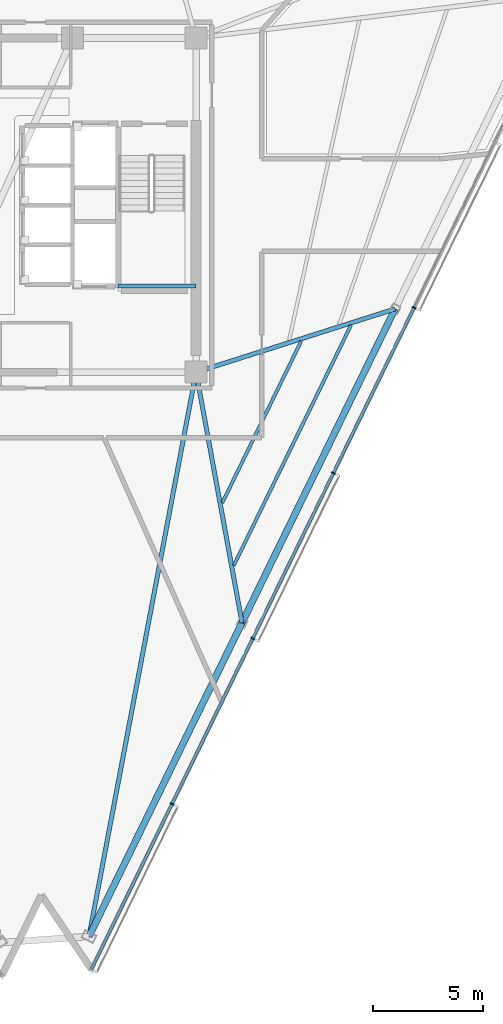
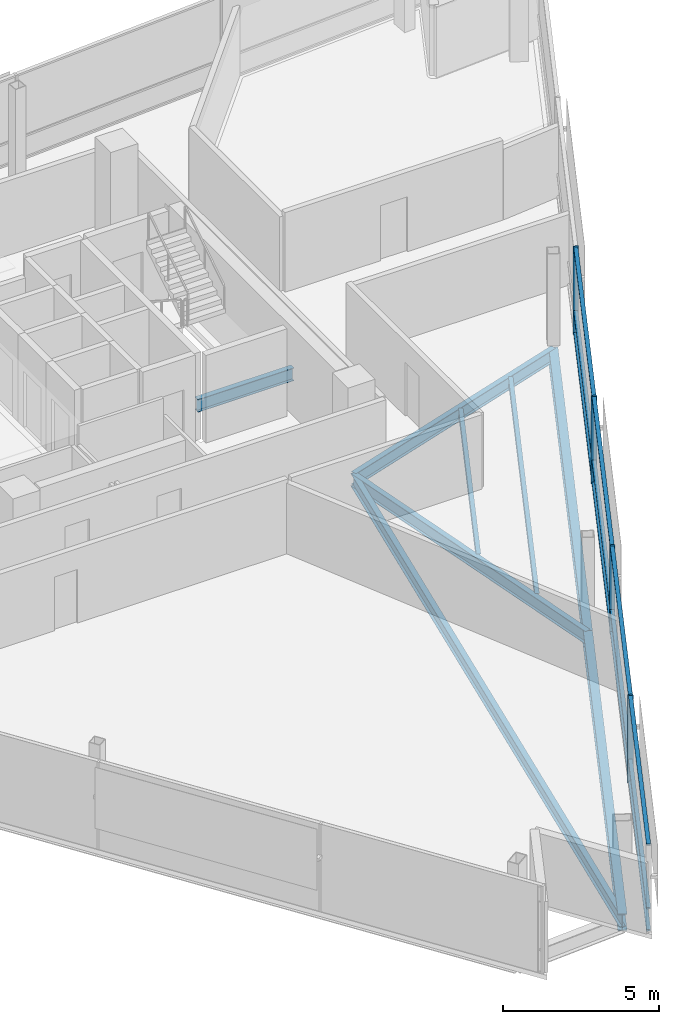
# One storey, part 4 of 16: 16 members, 8 beams, 1 element without a shape of its own.
"""IFC4 building model written with IfcOpenShell, lengths in metres."""

from ifc_helpers import new_model, si_unit, direction, frame, origin, origin_2d, place, context, subcontext, project, spatial, rectangle, i_section, extrude, material, layer, layer_set, material_profile, profile_set, type_object, element, aggregate, save


model = new_model("IFC4")

# Units and contexts
model_context = context("Model", 3, precision=1e-05, world=origin(), true_north=direction((0.0, 1.0)))
body_context = subcontext(model_context, "Body", "Model", "MODEL_VIEW")
ifc_project = project(units=[si_unit("LENGTHUNIT", "METRE"), si_unit("AREAUNIT", "SQUARE_METRE"), si_unit("VOLUMEUNIT", "CUBIC_METRE"), si_unit("PLANEANGLEUNIT", "RADIAN"), si_unit("MASSUNIT", "GRAM", prefix="KILO")], contexts=[model_context])

# Site, building, storey
site_placement = place(None, origin())
site = spatial("IfcSite", under=ifc_project, at=site_placement, CompositionType="ELEMENT")
building_placement = place(site_placement, origin())
building = spatial("IfcBuilding", under=site, at=building_placement, Name="Tharavind Bronze Gate", CompositionType="ELEMENT")
storey_placement = place(building_placement, frame((0.0, 0.0, 271.39990234375)))
storey = spatial("IfcBuildingStorey", under=building, at=storey_placement, Name="L70", CompositionType="ELEMENT", Elevation=271.39990234375)

# Curtain wall, members
ifc_material_1 = material(Name="Anodised Bronze Aluminium", Category="aluminium")
ifc_layer = layer(ifc_material_1, 0.219970703125)
ifc_layer_set = layer_set([ifc_layer], Name="Anodised Bronze Aluminium")
curtain_wall_type = type_object("IfcCurtainWallType", Name="UNITISED CURTAIN WALL UPPER OFFICE", PredefinedType="USERDEFINED", material=ifc_layer_set)
curtain_wall_placement = place(storey_placement, origin())
curtain_wall = element("IfcCurtainWall", 1, at=curtain_wall_placement, inside=storey, type_object=curtain_wall_type, Name="L70 unitised curtain wall upper office CW-L70-S2", ObjectType="UNITISED CURTAIN WALL", PredefinedType="USERDEFINED")
member_type_1 = type_object("IfcMemberType", Name="CURTAIN WALL BRONZE MULLION 65X180", PredefinedType="MULLION", material=ifc_material_1)
member_1_placement = place(storey_placement, frame((7.80419921875, -27.236572265625, 0.000244140625), z_axis=(0.0, 0.0, 1.0), x_axis=(0.43837271548, 0.898793281196, 0.0)))
member_1 = element("IfcMember", 2, at=member_1_placement, type_object=member_type_1, Name="CW-L70-S2 mullion 2", PredefinedType="MULLION", context=body_context, shape_type="SweptSolid", body=[
    extrude(rectangle(XDim=0.06494140625, YDim=0.179931640625, at=origin_2d()), origin(), (0.0, 0.0, 1.0), 3.419921875),
])
member_2_placement = place(storey_placement, frame((11.474365234375, -19.711669921875, 0.000244140625), z_axis=(0.0, 0.0, 1.0), x_axis=(0.43837271548, 0.898793281196, 0.0)))
member_2 = element("IfcMember", 3, at=member_2_placement, type_object=member_type_1, Name="CW-L70-S2 mullion 3", PredefinedType="MULLION", context=body_context, shape_type="SweptSolid", body=[
    extrude(rectangle(XDim=0.06494140625, YDim=0.179931640625, at=origin_2d()), origin(), (0.0, 0.0, 1.0), 3.419921875),
])
member_3_placement = place(storey_placement, frame((15.144775390625, -12.1865234375, 0.000244140625), z_axis=(0.0, 0.0, 1.0), x_axis=(0.43837271548, 0.898793281196, 0.0)))
member_3 = element("IfcMember", 4, at=member_3_placement, type_object=member_type_1, Name="CW-L70-S2 mullion 4", PredefinedType="MULLION", context=body_context, shape_type="SweptSolid", body=[
    extrude(rectangle(XDim=0.06494140625, YDim=0.179931640625, at=origin_2d()), origin(), (0.0, 0.0, 1.0), 3.419921875),
])
member_4_placement = place(storey_placement, frame((18.81494140625, -4.66162109375, 0.000244140625), z_axis=(0.0, 0.0, 1.0), x_axis=(0.43837271548, 0.898793281196, 0.0)))
member_4 = element("IfcMember", 5, at=member_4_placement, type_object=member_type_1, Name="CW-L70-S2 mullion 5", PredefinedType="MULLION", context=body_context, shape_type="SweptSolid", body=[
    extrude(rectangle(XDim=0.06494140625, YDim=0.179931640625, at=origin_2d()), origin(), (0.0, 0.0, 1.0), 3.419921875),
])
member_type_2 = type_object("IfcMemberType", Name="CURTAIN WALL BRONZE TRANSOM 65X140", PredefinedType="USERDEFINED", material=ifc_material_1)
member_5_placement = place(storey_placement, frame((5.968994140625, -30.9990234375, 0.000244140625), z_axis=(0.0, 0.0, 1.0), x_axis=(0.43837271548, 0.898793281196, 0.0)))
member_5 = element("IfcMember", 6, at=member_5_placement, type_object=member_type_2, Name="CW-L70-S2 transom TB1", ObjectType="TRANSOM", PredefinedType="USERDEFINED", context=body_context, shape_type="SweptSolid", body=[
    extrude(rectangle(XDim=8.3193359375, YDim=0.139892578125, at=origin_2d()), origin(), (0.0, 0.0, 1.0), 0.06494140625),
])
member_6_placement = place(storey_placement, frame((5.968994140625, -30.9990234375, 0.86767578125), z_axis=(0.0, 0.0, 1.0), x_axis=(0.43837271548, 0.898793281196, 0.0)))
member_6 = element("IfcMember", 7, at=member_6_placement, type_object=member_type_2, Name="CW-L70-S2 transom TS1", ObjectType="TRANSOM", PredefinedType="USERDEFINED", context=body_context, shape_type="SweptSolid", body=[
    extrude(rectangle(XDim=8.3193359375, YDim=0.139892578125, at=origin_2d()), origin(), (0.0, 0.0, 1.0), 0.06494140625),
])
member_7_placement = place(storey_placement, frame((5.968994140625, -30.9990234375, 3.355224609375), z_axis=(0.0, 0.0, 1.0), x_axis=(0.43837271548, 0.898793281196, 0.0)))
member_7 = element("IfcMember", 8, at=member_7_placement, type_object=member_type_2, Name="CW-L70-S2 transom TT1", ObjectType="TRANSOM", PredefinedType="USERDEFINED", context=body_context, shape_type="SweptSolid", body=[
    extrude(rectangle(XDim=8.3193359375, YDim=0.139892578125, at=origin_2d()), origin(), (0.0, 0.0, 1.0), 0.06494140625),
])
member_8_placement = place(storey_placement, frame((9.639404296875, -23.47412109375, 0.000244140625), z_axis=(0.0, 0.0, 1.0), x_axis=(0.43837271548, 0.898793281196, 0.0)))
member_8 = element("IfcMember", 9, at=member_8_placement, type_object=member_type_2, Name="CW-L70-S2 transom TB2", ObjectType="TRANSOM", PredefinedType="USERDEFINED", context=body_context, shape_type="SweptSolid", body=[
    extrude(rectangle(XDim=8.3193359375, YDim=0.139892578125, at=origin_2d()), origin(), (0.0, 0.0, 1.0), 0.06494140625),
])
member_9_placement = place(storey_placement, frame((9.639404296875, -23.47412109375, 0.86767578125), z_axis=(0.0, 0.0, 1.0), x_axis=(0.43837271548, 0.898793281196, 0.0)))
member_9 = element("IfcMember", 10, at=member_9_placement, type_object=member_type_2, Name="CW-L70-S2 transom TS2", ObjectType="TRANSOM", PredefinedType="USERDEFINED", context=body_context, shape_type="SweptSolid", body=[
    extrude(rectangle(XDim=8.3193359375, YDim=0.139892578125, at=origin_2d()), origin(), (0.0, 0.0, 1.0), 0.06494140625),
])
member_10_placement = place(storey_placement, frame((9.639404296875, -23.47412109375, 3.355224609375), z_axis=(0.0, 0.0, 1.0), x_axis=(0.43837271548, 0.898793281196, 0.0)))
member_10 = element("IfcMember", 11, at=member_10_placement, type_object=member_type_2, Name="CW-L70-S2 transom TT2", ObjectType="TRANSOM", PredefinedType="USERDEFINED", context=body_context, shape_type="SweptSolid", body=[
    extrude(rectangle(XDim=8.3193359375, YDim=0.139892578125, at=origin_2d()), origin(), (0.0, 0.0, 1.0), 0.06494140625),
])
member_11_placement = place(storey_placement, frame((13.3095703125, -15.94921875, 0.000244140625), z_axis=(0.0, 0.0, 1.0), x_axis=(0.43837271548, 0.898793281196, 0.0)))
member_11 = element("IfcMember", 12, at=member_11_placement, type_object=member_type_2, Name="CW-L70-S2 transom TB3", ObjectType="TRANSOM", PredefinedType="USERDEFINED", context=body_context, shape_type="SweptSolid", body=[
    extrude(rectangle(XDim=8.3193359375, YDim=0.139892578125, at=origin_2d()), origin(), (0.0, 0.0, 1.0), 0.06494140625),
])
member_12_placement = place(storey_placement, frame((13.3095703125, -15.94921875, 0.86767578125), z_axis=(0.0, 0.0, 1.0), x_axis=(0.43837271548, 0.898793281196, 0.0)))
member_12 = element("IfcMember", 13, at=member_12_placement, type_object=member_type_2, Name="CW-L70-S2 transom TS3", ObjectType="TRANSOM", PredefinedType="USERDEFINED", context=body_context, shape_type="SweptSolid", body=[
    extrude(rectangle(XDim=8.3193359375, YDim=0.139892578125, at=origin_2d()), origin(), (0.0, 0.0, 1.0), 0.06494140625),
])
member_13_placement = place(storey_placement, frame((13.3095703125, -15.94921875, 3.355224609375), z_axis=(0.0, 0.0, 1.0), x_axis=(0.43837271548, 0.898793281196, 0.0)))
member_13 = element("IfcMember", 14, at=member_13_placement, type_object=member_type_2, Name="CW-L70-S2 transom TT3", ObjectType="TRANSOM", PredefinedType="USERDEFINED", context=body_context, shape_type="SweptSolid", body=[
    extrude(rectangle(XDim=8.3193359375, YDim=0.139892578125, at=origin_2d()), origin(), (0.0, 0.0, 1.0), 0.06494140625),
])
member_14_placement = place(storey_placement, frame((16.979736328125, -8.424072265625, 0.000244140625), z_axis=(0.0, 0.0, 1.0), x_axis=(0.43837271548, 0.898793281196, 0.0)))
member_14 = element("IfcMember", 15, at=member_14_placement, type_object=member_type_2, Name="CW-L70-S2 transom TB4", ObjectType="TRANSOM", PredefinedType="USERDEFINED", context=body_context, shape_type="SweptSolid", body=[
    extrude(rectangle(XDim=8.3193359375, YDim=0.139892578125, at=origin_2d()), origin(), (0.0, 0.0, 1.0), 0.06494140625),
])
member_15_placement = place(storey_placement, frame((16.979736328125, -8.424072265625, 0.86767578125), z_axis=(0.0, 0.0, 1.0), x_axis=(0.43837271548, 0.898793281196, 0.0)))
member_15 = element("IfcMember", 16, at=member_15_placement, type_object=member_type_2, Name="CW-L70-S2 transom TS4", ObjectType="TRANSOM", PredefinedType="USERDEFINED", context=body_context, shape_type="SweptSolid", body=[
    extrude(rectangle(XDim=8.3193359375, YDim=0.139892578125, at=origin_2d()), origin(), (0.0, 0.0, 1.0), 0.06494140625),
])
member_16_placement = place(storey_placement, frame((16.979736328125, -8.424072265625, 3.355224609375), z_axis=(0.0, 0.0, 1.0), x_axis=(0.43837271548, 0.898793281196, 0.0)))
member_16 = element("IfcMember", 17, at=member_16_placement, type_object=member_type_2, Name="CW-L70-S2 transom TT4", ObjectType="TRANSOM", PredefinedType="USERDEFINED", context=body_context, shape_type="SweptSolid", body=[
    extrude(rectangle(XDim=8.3193359375, YDim=0.139892578125, at=origin_2d()), origin(), (0.0, 0.0, 1.0), 0.06494140625),
])
aggregate(curtain_wall, [member_1, member_2, member_3, member_4, member_5, member_6, member_7, member_8, member_9, member_10, member_11, member_12, member_13, member_14, member_15, member_16])

# Beams
ifc_material_2 = material(Name="Steel S355", Category="steel")
ifc_material_profile_1 = material_profile(ifc_material_2, i_section(OverallWidth=0.300048828125, OverallDepth=0.64990234375, WebThickness=0.01611328125, FlangeThickness=0.031005859375, at=origin_2d()), Name="HE650B")
ifc_profile_set_1 = profile_set([ifc_material_profile_1], Name="Steel S355")
beam_type_1 = type_object("IfcBeamType", Name="PRIMARY GIRDER HE650B", PredefinedType="USERDEFINED", material=ifc_profile_set_1)
for number, where, z_axis, x_axis, name in (
    (18, (4.029296875, -33.26513671875, -0.5048828125), (0.43838485681, 0.898787359346, 0.0), (-0.898787359346, 0.43838485681, 0.0), "L70 primary girder he650b BM-L70-PRG05"),
    (19, (10.990234375, -18.99365234375, -0.5048828125), (0.438366378116, 0.898796372121, 0.0), (-0.898796372121, 0.438366378116, 0.0), "L70 primary girder he650b BM-L70-PRG06"),
):
    element("IfcBeam", number, at=place(storey_placement, frame(where, z_axis=z_axis, x_axis=x_axis)), inside=storey, type_object=beam_type_1, Name=name, ObjectType="GIRDER", PredefinedType="USERDEFINED", context=body_context, shape_type="SweptSolid", body=[
        extrude(i_section(OverallWidth=0.300048828125, OverallDepth=0.64990234375, WebThickness=0.01611328125, FlangeThickness=0.031005859375, at=origin_2d()), origin(), (0.0, 0.0, 1.0), 15.878662109375),
    ])
ifc_material_profile_2 = material_profile(ifc_material_2, i_section(OverallWidth=0.199951171875, OverallDepth=0.5, WebThickness=0.01025390625, FlangeThickness=0.01611328125, at=origin_2d()), Name="IPE500")
ifc_profile_set_2 = profile_set([ifc_material_profile_2], Name="Steel S355")
beam_type_2 = type_object("IfcBeamType", Name="PRIMARY GIRDER IPE500", PredefinedType="USERDEFINED", material=ifc_profile_set_2)
beam_1_placement = place(storey_placement, frame((5.35009765625, -3.679931640625, 1.35009765625), z_axis=(1.0, 0.0, 0.0), x_axis=(0.0, 1.0, 0.0)))
element("IfcBeam", 20, at=beam_1_placement, inside=storey, type_object=beam_type_2, Name="L70 primary girder ipe500 BM-LD-ST2-L70-1", ObjectType="GIRDER", PredefinedType="USERDEFINED", context=body_context, shape_type="SweptSolid", body=[
    extrude(i_section(OverallWidth=0.199951171875, OverallDepth=0.5, WebThickness=0.01025390625, FlangeThickness=0.01611328125, at=origin_2d()), origin(), (0.0, 0.0, 1.0), 3.5498046875),
])
beam_2_placement = place(storey_placement, frame((4.029296875, -33.26513671875, -0.429931640625), z_axis=(0.186448126873, 0.982464806487, 0.0), x_axis=(-0.982464806487, 0.186448126873, 0.0)))
element("IfcBeam", 21, at=beam_2_placement, inside=storey, type_object=beam_type_2, Name="L70 primary girder ipe500 BM-L70-RAD05", ObjectType="GIRDER", PredefinedType="USERDEFINED", context=body_context, shape_type="SweptSolid", body=[
    extrude(i_section(OverallWidth=0.199951171875, OverallDepth=0.5, WebThickness=0.01025390625, FlangeThickness=0.01611328125, at=origin_2d()), origin(), (0.0, 0.0, 1.0), 26.123046875),
])
beam_3_placement = place(storey_placement, frame((10.990234375, -18.99365234375, -0.429931640625), z_axis=(-0.180454290484, 0.98358337168, 0.0), x_axis=(-0.98358337168, -0.180454290484, 0.0)))
element("IfcBeam", 22, at=beam_3_placement, inside=storey, type_object=beam_type_2, Name="L70 primary girder ipe500 BM-L70-RAD06", ObjectType="GIRDER", PredefinedType="USERDEFINED", context=body_context, shape_type="SweptSolid", body=[
    extrude(i_section(OverallWidth=0.199951171875, OverallDepth=0.5, WebThickness=0.01025390625, FlangeThickness=0.01611328125, at=origin_2d()), origin(), (0.0, 0.0, 1.0), 11.583740234375),
])
beam_4_placement = place(storey_placement, frame((17.950927734375, -4.721923828125, -0.429931640625), z_axis=(-0.952977418186, -0.303041318021, 0.0), x_axis=(0.303041318021, -0.952977418186, 0.0)))
element("IfcBeam", 23, at=beam_4_placement, inside=storey, type_object=beam_type_2, Name="L70 primary girder ipe500 BM-L70-RAD07", ObjectType="GIRDER", PredefinedType="USERDEFINED", context=body_context, shape_type="SweptSolid", body=[
    extrude(i_section(OverallWidth=0.199951171875, OverallDepth=0.5, WebThickness=0.01025390625, FlangeThickness=0.01611328125, at=origin_2d()), origin(), (0.0, 0.0, 1.0), 9.49755859375),
])
ifc_material_profile_3 = material_profile(ifc_material_2, i_section(OverallWidth=0.14990234375, OverallDepth=0.300048828125, WebThickness=0.007080078125, FlangeThickness=0.0107421875, at=origin_2d()), Name="IPE300")
ifc_profile_set_3 = profile_set([ifc_material_profile_3], Name="Steel S355")
beam_type_3 = type_object("IfcBeamType", Name="SECONDARY FLOOR JOIST IPE300", PredefinedType="JOIST", material=ifc_profile_set_3)
beam_5_placement = place(storey_placement, frame((10.093994140625, -13.54052734375, -0.329833984375), z_axis=(0.438357774769, 0.898800568146, 0.0), x_axis=(-0.898800568146, 0.438357774769, 0.0)))
element("IfcBeam", 24, at=beam_5_placement, inside=storey, type_object=beam_type_3, Name="L70 secondary floor joist ipe300 BM-L70-JSTA06", PredefinedType="JOIST", context=body_context, shape_type="SweptSolid", body=[
    extrude(i_section(OverallWidth=0.14990234375, OverallDepth=0.300048828125, WebThickness=0.007080078125, FlangeThickness=0.0107421875, at=origin_2d()), origin(), (0.0, 0.0, 1.0), 8.180419921875),
])
beam_6_placement = place(storey_placement, frame((10.616455078125, -16.388916015625, -0.329833984375), z_axis=(0.438366623032, 0.898796252669, 0.0), x_axis=(-0.898796252669, 0.438366623032, 0.0)))
element("IfcBeam", 25, at=beam_6_placement, inside=storey, type_object=beam_type_3, Name="L70 secondary floor joist ipe300 BM-L70-JSTB06", PredefinedType="JOIST", context=body_context, shape_type="SweptSolid", body=[
    extrude(i_section(OverallWidth=0.14990234375, OverallDepth=0.300048828125, WebThickness=0.007080078125, FlangeThickness=0.0107421875, at=origin_2d()), origin(), (0.0, 0.0, 1.0), 12.150146484375),
])

save(model, "model.ifc")
